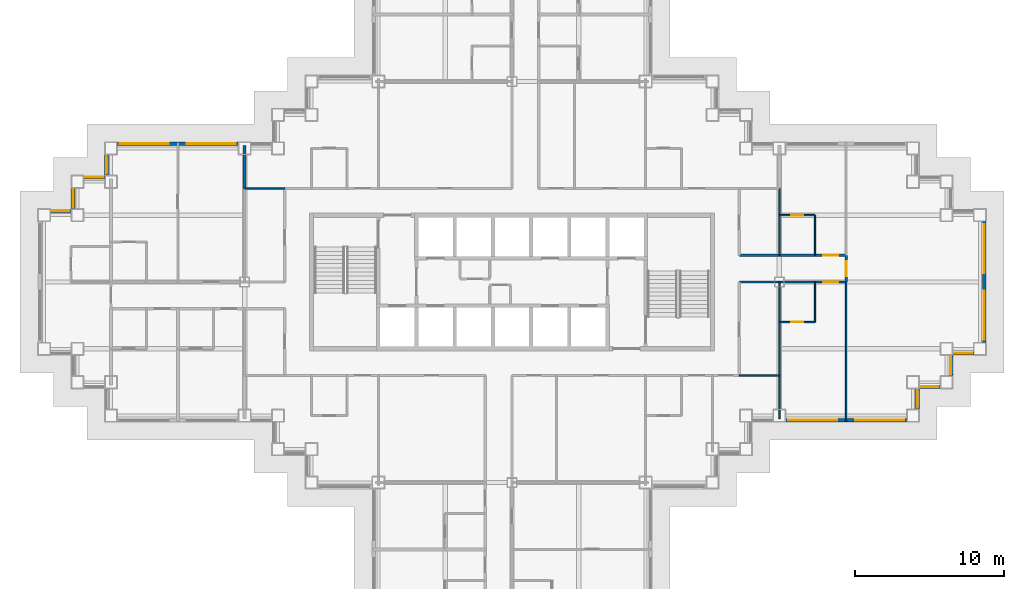
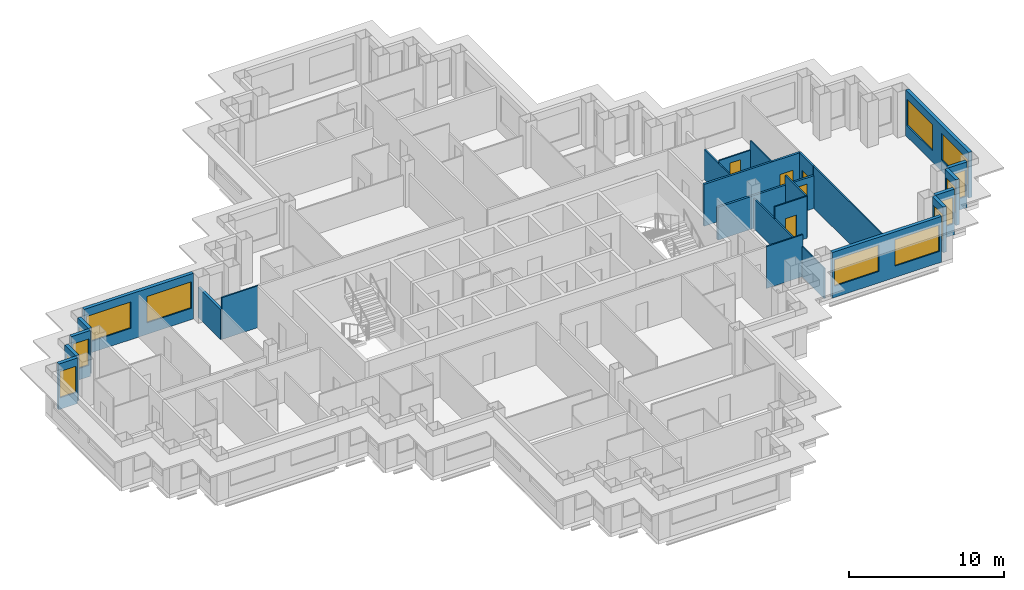
# One storey, part 8 of 16: 24 walls, 14 windows, 5 doors, 19 openings.
"""IFC4 building model written with IfcOpenShell, lengths in metres."""

import ifcopenshell
import ifcopenshell.guid

model = None  # the IFC model being written
_history = None  # IfcOwnerHistory: only IFC2X3 demands one
_inside = {}  # id of a spatial element -> (the spatial element, [elements in it])
_under = {}  # id of a project, library or spatial element -> (it, [spatial elements below it])
_declared = {}  # id of a project -> (the project, [libraries it declares])
_typed = {}  # id of a type object -> (the type object, [elements of that type])
_made_of = {}  # id of a material, layer set ... -> (it, [elements and type objects made of it])


def new_model(schema):
    """Start an empty IFC model of exactly this schema.

    Asked for "IFC4X3", IfcOpenShell would pick the latest addendum, in which some entities
    have other attributes; the version numbers below select the first issue.
    IFC2X3 requires an IfcOwnerHistory on every rooted entity: one is made here for all.
    """
    global model, _history
    if schema == "IFC4X3":
        model = ifcopenshell.file(schema_version=(4, 3, 0, 0))
    else:
        model = ifcopenshell.file(schema=schema)
    _inside.clear()
    _under.clear()
    _declared.clear()
    _typed.clear()
    _made_of.clear()
    _history = None
    if model.schema == "IFC2X3":
        org = make("IfcOrganization", Name="unknown")
        user = make(
            "IfcPersonAndOrganization",
            ThePerson=make("IfcPerson", FamilyName="unknown"),
            TheOrganization=org,
        )
        app = make(
            "IfcApplication",
            ApplicationDeveloper=org,
            Version="unknown",
            ApplicationFullName="unknown",
            ApplicationIdentifier="unknown",
        )
        _history = make(
            "IfcOwnerHistory",
            OwningUser=user,
            OwningApplication=app,
            ChangeAction="ADDED",
            CreationDate=0,
        )
    return model


def make(cls, **values):
    """One entity of the class cls with the attributes given. An attribute that is None is left unset."""
    return model.create_entity(
        cls, **{name: value for name, value in values.items() if value is not None}
    )


def rooted(cls, **values):
    """An entity with a GlobalId (a new one), such as an element, a storey or a relation."""
    return make(cls, GlobalId=ifcopenshell.guid.new(), OwnerHistory=_history, **values)


def si_unit(unit_type, name, prefix=None):
    """IfcSIUnit, for example si_unit("LENGTHUNIT", "METRE", prefix="MILLI")."""
    return make("IfcSIUnit", UnitType=unit_type, Prefix=prefix, Name=name)


def assignment(units):
    """IfcUnitAssignment: the units of a project."""
    return None if units is None else make("IfcUnitAssignment", Units=units)


def point(xyz):
    """IfcCartesianPoint."""
    return None if xyz is None else make("IfcCartesianPoint", Coordinates=xyz)


def direction(xyz):
    """IfcDirection."""
    return None if xyz is None else make("IfcDirection", DirectionRatios=xyz)


def frame(location, z_axis=None, x_axis=None):
    """IfcAxis2Placement3D, a coordinate frame: its origin and axes. An axis left out is left unset."""
    return make(
        "IfcAxis2Placement3D",
        Location=point(location),
        Axis=direction(z_axis),
        RefDirection=direction(x_axis),
    )


def frame_2d(location, x_axis=None):
    """IfcAxis2Placement2D, a coordinate frame in the plane: its origin and x axis."""
    return make(
        "IfcAxis2Placement2D", Location=point(location), RefDirection=direction(x_axis)
    )


def origin():
    """The frame at (0, 0, 0) with its axes left unset."""
    return frame((0.0, 0.0, 0.0))


def place(relative_to, where):
    """IfcLocalPlacement: puts the frame where relative to a parent placement (None: the world)."""
    return make(
        "IfcLocalPlacement", PlacementRelTo=relative_to, RelativePlacement=where
    )


def context(
    kind, dimensions, precision=None, world=None, true_north=None, identifier=None
):
    """IfcGeometricRepresentationContext, for example the 3D "Model" context."""
    return make(
        "IfcGeometricRepresentationContext",
        ContextIdentifier=identifier,
        ContextType=kind,
        CoordinateSpaceDimension=dimensions,
        Precision=precision,
        WorldCoordinateSystem=world,
        TrueNorth=true_north,
    )


def subcontext(parent, identifier, kind, view, scale=None):
    """IfcGeometricRepresentationSubContext, for example "Body" below "Model"."""
    return make(
        "IfcGeometricRepresentationSubContext",
        ContextIdentifier=identifier,
        ContextType=kind,
        ParentContext=parent,
        TargetScale=scale,
        TargetView=view,
    )


def project(units=None, contexts=None):
    """IfcProject with its units and contexts."""
    return rooted(
        "IfcProject",
        Name="project",
        RepresentationContexts=contexts,
        UnitsInContext=assignment(units),
    )


def spatial(cls, under=None, at=None, **own):
    """A site, building, storey or space (cls), placed at a placement, below another one or the project."""
    s = rooted(cls, ObjectPlacement=at, **own)
    if under is not None:
        _under.setdefault(under.id(), (under, []))[1].append(s)
    return s


def profile(cls, at=None, kind="AREA", **sizes):
    """A parametric profile (cls). Its sizes go by their IFC names, for example OverallWidth=200.0."""
    return make(cls, ProfileType=kind, Position=at, **sizes)


def rectangle(**sizes):
    """IfcRectangleProfileDef."""
    return profile("IfcRectangleProfileDef", **sizes)


def extrude(swept, where, along, depth):
    """IfcExtrudedAreaSolid: the profile swept, set in the frame where, extruded along a direction by depth."""
    return make(
        "IfcExtrudedAreaSolid",
        SweptArea=swept,
        Position=where,
        ExtrudedDirection=direction(along),
        Depth=depth,
    )


def shape(context_of_items, identifier, shape_type, items):
    """IfcShapeRepresentation: the items that make up one representation, for example the "Body"."""
    return make(
        "IfcShapeRepresentation",
        ContextOfItems=context_of_items,
        RepresentationIdentifier=identifier,
        RepresentationType=shape_type,
        Items=items,
    )


def material(Name=None, Category=None):
    """IfcMaterial."""
    return make("IfcMaterial", Name=Name, Category=Category)


def layer(
    of_material, thickness, ventilated=None, Name=None, Category=None, Priority=None
):
    """IfcMaterialLayer: one layer of a wall or slab, of a material (None: an air gap)."""
    return make(
        "IfcMaterialLayer",
        Material=of_material,
        LayerThickness=thickness,
        IsVentilated=ventilated,
        Name=Name,
        Category=Category,
        Priority=Priority,
    )


def layer_set(layers, Name=None):
    """IfcMaterialLayerSet."""
    return make("IfcMaterialLayerSet", MaterialLayers=layers, LayerSetName=Name)


def made_of(thing, what):
    """Note that an element or type object is made of a material, layer set ...; save() writes the relation."""
    if what is not None:
        _made_of.setdefault(what.id(), (what, []))[1].append(thing)
    return thing


def type_object(cls, material=None, **own):
    """A type object (cls), such as IfcWallType, which elements share."""
    return made_of(rooted(cls, **own), material)


def element(
    cls,
    number,
    at=None,
    inside=None,
    cuts=None,
    type_object=None,
    material=None,
    context=None,
    identifier="Body",
    shape_type=None,
    held_by="IfcProductDefinitionShape",
    body=None,
    shapes=None,
    **own,
):
    """One element of the class cls, such as IfcWall. Its Tag is "e" and its number.

    at: its placement. inside: the storey or other place that contains it. cuts: it is an
    opening in that element (IfcRelVoidsElement). A single representation is given by context,
    identifier, shape_type and body (its items); several are given by shapes. held_by: the class
    of the entity that holds the representations. save() writes the other relations.
    """
    e = rooted(cls, Tag="e%d" % number, ObjectPlacement=at, **own)
    if body is not None:
        shapes = [shape(context, identifier, shape_type, body)]
    if shapes is not None:
        e.Representation = make(held_by, Representations=shapes)
    if inside is not None:
        _inside.setdefault(inside.id(), (inside, []))[1].append(e)
    if cuts is not None:
        rooted(
            "IfcRelVoidsElement", RelatingBuildingElement=cuts, RelatedOpeningElement=e
        )
    if type_object is not None:
        _typed.setdefault(type_object.id(), (type_object, []))[1].append(e)
    return made_of(e, material)


def fill(opening, filler):
    """IfcRelFillsElement: the door or window that sits in an opening."""
    return rooted(
        "IfcRelFillsElement",
        RelatingOpeningElement=opening,
        RelatedBuildingElement=filler,
    )


def aggregate(whole, parts):
    """IfcRelAggregates: a whole, such as a stair, and the parts it consists of."""
    return rooted("IfcRelAggregates", RelatingObject=whole, RelatedObjects=parts)


def save(model, path):
    """Write the relations noted so far, then the file.

    IfcRelAggregates (storeys below a building ...), IfcRelContainedInSpatialStructure (elements
    in a storey), IfcRelDefinesByType, IfcRelAssociatesMaterial and IfcRelDeclares: one each for
    every whole, place, type object, material and project.
    """
    for whole, parts in _under.values():
        aggregate(whole, parts)
    for where, things in _inside.values():
        rooted(
            "IfcRelContainedInSpatialStructure",
            RelatedElements=things,
            RelatingStructure=where,
        )
    for kind, things in _typed.values():
        rooted("IfcRelDefinesByType", RelatedObjects=things, RelatingType=kind)
    for what, things in _made_of.values():
        rooted("IfcRelAssociatesMaterial", RelatedObjects=things, RelatingMaterial=what)
    for by, libraries in _declared.values():
        rooted("IfcRelDeclares", RelatingContext=by, RelatedDefinitions=libraries)
    model.write(path)


model = new_model("IFC4")

# Units and contexts
model_context = context("Model", 3, precision=1e-05, world=origin(), true_north=direction((0.0, 1.0)))
body_context = subcontext(model_context, "Body", "Model", "MODEL_VIEW")
ifc_project = project(units=[si_unit("LENGTHUNIT", "METRE"), si_unit("AREAUNIT", "SQUARE_METRE"), si_unit("VOLUMEUNIT", "CUBIC_METRE"), si_unit("PLANEANGLEUNIT", "RADIAN"), si_unit("MASSUNIT", "GRAM", prefix="KILO")], contexts=[model_context])

# Site, building, storey
site_placement = place(None, origin())
site = spatial("IfcSite", under=ifc_project, at=site_placement, CompositionType="ELEMENT")
building_placement = place(site_placement, origin())
building = spatial("IfcBuilding", under=site, at=building_placement, Name="Caravel Reach Hotel and Residences", CompositionType="ELEMENT")
storey_placement = place(building_placement, frame((0.0, 0.0, 133.199951171875)))
storey = spatial("IfcBuildingStorey", under=building, at=storey_placement, Name="L33", CompositionType="ELEMENT", Elevation=133.199951171875)

# Wall, opening, door
ifc_material_1 = material(Name="Gypsum board on steel stud", Category="steel")
ifc_layer_1 = layer(ifc_material_1, 0.10009765625)
ifc_layer_set_1 = layer_set([ifc_layer_1], Name="Bathroom pod wall 100 mm")
wall_type_1 = type_object("IfcWallType", Name="Bathroom pod wall 100 mm", PredefinedType="PARTITIONING", material=ifc_layer_set_1)
wall_1_placement = place(storey_placement, frame((49.5, 24.300048828125, 0.0), z_axis=(0.0, 0.0, 1.0), x_axis=(1.0, 0.0, 0.0)))
wall_1 = element("IfcWall", 1, at=wall_1_placement, inside=storey, type_object=wall_type_1, Name="L33 wall w087", PredefinedType="PARTITIONING", context=body_context, shape_type="SweptSolid", body=[
    extrude(rectangle(XDim=2.39990234375, YDim=0.10009765625, at=frame_2d((1.199951171875, 0.0))), origin(), (0.0, 0.0, 1.0), 3.300048828125),
])
opening_1_placement = place(wall_1_placement, frame((0.800048828125, 0.0, 0.0)))
opening_1 = element("IfcOpeningElement", 2, at=opening_1_placement, cuts=wall_1, Name="Opening D33-024", PredefinedType="OPENING", context=body_context, shape_type="SweptSolid", body=[
    extrude(rectangle(XDim=0.800048828125, YDim=2.10009765625, at=frame_2d((0.39990234375, 1.050048828125))), frame((0.0, 0.06005859375, 0.0), z_axis=(0.0, -1.0, 0.0), x_axis=(1.0, 0.0, 0.0)), (0.0, 0.0, 1.0), 0.1201171875),
])
ifc_material_2 = material(Name="Timber and steel door leaf", Category="steel")
door_type_1 = type_object("IfcDoorType", Name="Bathroom door 800 x 2100", OperationType="SINGLE_SWING_LEFT", PredefinedType="DOOR", material=ifc_material_2)
door_1_placement = place(opening_1_placement, origin())
door_1 = element("IfcDoor", 3, at=door_1_placement, inside=storey, type_object=door_type_1, Name="door D33-024", OperationType="SINGLE_SWING_LEFT", OverallHeight=2.10009765625, OverallWidth=0.800048828125, PredefinedType="DOOR", context=body_context, shape_type="SweptSolid", body=[
    extrude(rectangle(XDim=0.800048828125, YDim=2.10009765625, at=frame_2d((0.39990234375, 1.050048828125))), frame((0.0, 0.02490234375, 0.0), z_axis=(0.0, -1.0, 0.0), x_axis=(1.0, 0.0, 0.0)), (0.0, 0.0, 1.0), 0.050048828125),
])
fill(opening_1, door_1)

wall_2_placement = place(storey_placement, frame((49.5, 31.5, 0.0), z_axis=(0.0, 0.0, 1.0), x_axis=(1.0, 0.0, 0.0)))
wall_2 = element("IfcWall", 4, at=wall_2_placement, inside=storey, type_object=wall_type_1, Name="L33 wall w091", PredefinedType="PARTITIONING", context=body_context, shape_type="SweptSolid", body=[
    extrude(rectangle(XDim=2.39990234375, YDim=0.10009765625, at=frame_2d((1.199951171875, 0.0))), origin(), (0.0, 0.0, 1.0), 2.580078125),
])
opening_2_placement = place(wall_2_placement, frame((0.800048828125, 0.0, 0.0)))
opening_2 = element("IfcOpeningElement", 5, at=opening_2_placement, cuts=wall_2, Name="Opening D33-026", PredefinedType="OPENING", context=body_context, shape_type="SweptSolid", body=[
    extrude(rectangle(XDim=0.800048828125, YDim=2.10009765625, at=frame_2d((0.39990234375, 1.050048828125))), frame((0.0, 0.06005859375, 0.0), z_axis=(0.0, -1.0, 0.0), x_axis=(1.0, 0.0, 0.0)), (0.0, 0.0, 1.0), 0.1201171875),
])
door_2_placement = place(opening_2_placement, origin())
door_2 = element("IfcDoor", 6, at=door_2_placement, inside=storey, type_object=door_type_1, Name="door D33-026", OperationType="SINGLE_SWING_LEFT", OverallHeight=2.10009765625, OverallWidth=0.800048828125, PredefinedType="DOOR", context=body_context, shape_type="SweptSolid", body=[
    extrude(rectangle(XDim=0.800048828125, YDim=2.10009765625, at=frame_2d((0.39990234375, 1.050048828125))), frame((0.0, 0.02490234375, 0.0), z_axis=(0.0, -1.0, 0.0), x_axis=(1.0, 0.0, 0.0)), (0.0, 0.0, 1.0), 0.050048828125),
])
fill(opening_2, door_2)

# Walls
for number, where, z_axis, x_axis, name in (
    (7, (51.89990234375, 28.800048828125, 0.0), (0.0, 0.0, 1.0), (0.0, 1.0, 0.0), "L33 wall w117"),
    (8, (51.89990234375, 24.300048828125, 0.0), (0.0, 0.0, 1.0), (0.0, 1.0, 0.0), "L33 wall w118"),
):
    element("IfcWall", number, at=place(storey_placement, frame(where, z_axis=z_axis, x_axis=x_axis)), inside=storey, type_object=wall_type_1, Name=name, PredefinedType="PARTITIONING", context=body_context, shape_type="SweptSolid", body=[
        extrude(rectangle(XDim=2.699951171875, YDim=0.10009765625, at=frame_2d((1.35009765625, 0.0))), origin(), (0.0, 0.0, 1.0), 3.300048828125),
    ])

# Wall, opening, door
ifc_material_3 = material(Name="Gypsum board on steel stud, fire-rated", Category="steel")
ifc_layer_2 = layer(ifc_material_3, 0.14990234375)
ifc_layer_set_2 = layer_set([ifc_layer_2], Name="Corridor wall 150 mm EI 60")
wall_type_2 = type_object("IfcWallType", Name="Corridor wall 150 mm EI 60", PredefinedType="PARTITIONING", material=ifc_layer_set_2)
wall_3_placement = place(storey_placement, frame((46.800048828125, 27.0, 0.0), z_axis=(0.0, 0.0, 1.0), x_axis=(1.0, 0.0, 0.0)))
wall_3 = element("IfcWall", 9, at=wall_3_placement, inside=storey, type_object=wall_type_2, Name="L33 wall w011", PredefinedType="PARTITIONING", context=body_context, shape_type="SweptSolid", body=[
    extrude(rectangle(XDim=7.199951171875, YDim=0.14990234375, at=frame_2d((3.60009765625, 0.0))), origin(), (0.0, 0.0, 1.0), 2.580078125),
])
opening_3_placement = place(wall_3_placement, frame((5.64990234375, 0.0, 0.0)))
opening_3 = element("IfcOpeningElement", 10, at=opening_3_placement, cuts=wall_3, Name="Opening D33-023", PredefinedType="OPENING", context=body_context, shape_type="SweptSolid", body=[
    extrude(rectangle(XDim=1.0, YDim=2.10009765625, at=frame_2d((0.5, 1.050048828125))), frame((0.0, 0.0849609375, 0.0), z_axis=(0.0, -1.0, 0.0), x_axis=(1.0, 0.0, 0.0)), (0.0, 0.0, 1.0), 0.169921875),
])
ifc_material_4 = material(Name="Steel fire door leaf", Category="steel")
door_type_2 = type_object("IfcDoorType", Name="Guest room door 1000 x 2100 EI 30", OperationType="SINGLE_SWING_LEFT", PredefinedType="DOOR", material=ifc_material_4)
door_3_placement = place(opening_3_placement, origin())
door_3 = element("IfcDoor", 11, at=door_3_placement, inside=storey, type_object=door_type_2, Name="door D33-023", OperationType="SINGLE_SWING_RIGHT", OverallHeight=2.10009765625, OverallWidth=1.0, PredefinedType="DOOR", context=body_context, shape_type="SweptSolid", body=[
    extrude(rectangle(XDim=1.0, YDim=2.10009765625, at=frame_2d((0.5, 1.050048828125))), frame((0.0, 0.02490234375, 0.0), z_axis=(0.0, -1.0, 0.0), x_axis=(1.0, 0.0, 0.0)), (0.0, 0.0, 1.0), 0.050048828125),
])
fill(opening_3, door_3)

wall_4_placement = place(storey_placement, frame((46.800048828125, 28.800048828125, 0.0), z_axis=(0.0, 0.0, 1.0), x_axis=(1.0, 0.0, 0.0)))
wall_4 = element("IfcWall", 12, at=wall_4_placement, inside=storey, type_object=wall_type_2, Name="L33 wall w016", PredefinedType="PARTITIONING", context=body_context, shape_type="SweptSolid", body=[
    extrude(rectangle(XDim=7.199951171875, YDim=0.14990234375, at=frame_2d((3.60009765625, 0.0))), origin(), (0.0, 0.0, 1.0), 3.300048828125),
])
opening_4_placement = place(wall_4_placement, frame((5.64990234375, 0.0, 0.0)))
opening_4 = element("IfcOpeningElement", 13, at=opening_4_placement, cuts=wall_4, Name="Opening D33-025", PredefinedType="OPENING", context=body_context, shape_type="SweptSolid", body=[
    extrude(rectangle(XDim=1.0, YDim=2.10009765625, at=frame_2d((0.5, 1.050048828125))), frame((0.0, 0.0849609375, 0.0), z_axis=(0.0, -1.0, 0.0), x_axis=(1.0, 0.0, 0.0)), (0.0, 0.0, 1.0), 0.169921875),
])
door_4_placement = place(opening_4_placement, origin())
door_4 = element("IfcDoor", 14, at=door_4_placement, inside=storey, type_object=door_type_2, Name="door D33-025", OperationType="SINGLE_SWING_RIGHT", OverallHeight=2.10009765625, OverallWidth=1.0, PredefinedType="DOOR", context=body_context, shape_type="SweptSolid", body=[
    extrude(rectangle(XDim=1.0, YDim=2.10009765625, at=frame_2d((0.5, 1.050048828125))), frame((0.0, 0.02490234375, 0.0), z_axis=(0.0, -1.0, 0.0), x_axis=(1.0, 0.0, 0.0)), (0.0, 0.0, 1.0), 0.050048828125),
])
fill(opening_4, door_4)

wall_5_placement = place(storey_placement, frame((54.0, 27.0, 0.0), z_axis=(0.0, 0.0, 1.0), x_axis=(0.0, 1.0, 0.0)))
wall_5 = element("IfcWall", 15, at=wall_5_placement, inside=storey, type_object=wall_type_2, Name="L33 wall w041", PredefinedType="PARTITIONING", context=body_context, shape_type="SweptSolid", body=[
    extrude(rectangle(XDim=1.800048828125, YDim=0.14990234375, at=frame_2d((0.89990234375, 0.0))), origin(), (0.0, 0.0, 1.0), 3.300048828125),
])
opening_5_placement = place(wall_5_placement, frame((0.39990234375, 0.0, 0.0)))
opening_5 = element("IfcOpeningElement", 16, at=opening_5_placement, cuts=wall_5, Name="Opening D33-044", PredefinedType="OPENING", context=body_context, shape_type="SweptSolid", body=[
    extrude(rectangle(XDim=1.0, YDim=2.10009765625, at=frame_2d((0.5, 1.050048828125))), frame((0.0, 0.0849609375, 0.0), z_axis=(0.0, -1.0, 0.0), x_axis=(1.0, 0.0, 0.0)), (0.0, 0.0, 1.0), 0.169921875),
])
door_5_placement = place(opening_5_placement, origin())
door_5 = element("IfcDoor", 17, at=door_5_placement, inside=storey, type_object=door_type_2, Name="door D33-044", OperationType="SINGLE_SWING_RIGHT", OverallHeight=2.10009765625, OverallWidth=1.0, PredefinedType="DOOR", context=body_context, shape_type="SweptSolid", body=[
    extrude(rectangle(XDim=1.0, YDim=2.10009765625, at=frame_2d((0.5, 1.050048828125))), frame((0.0, 0.02490234375, 0.0), z_axis=(0.0, -1.0, 0.0), x_axis=(1.0, 0.0, 0.0)), (0.0, 0.0, 1.0), 0.050048828125),
])
fill(opening_5, door_5)

# Wall, openings, windows
ifc_material_5 = material(Name="Insulated rainscreen wall, aluminium cladding", Category="aluminium")
ifc_layer_3 = layer(ifc_material_5, 0.25)
ifc_layer_set_3 = layer_set([ifc_layer_3], Name="EW1 Tower rainscreen wall")
wall_type_3 = type_object("IfcWallType", Name="EW1 Tower rainscreen wall", PredefinedType="SOLIDWALL", material=ifc_layer_set_3)
wall_6_placement = place(storey_placement, frame((49.925048828125, 17.699951171875, 0.0), z_axis=(0.0, 0.0, 1.0), x_axis=(1.0, 0.0, 0.0)))
wall_6 = element("IfcWall", 18, at=wall_6_placement, inside=storey, type_object=wall_type_3, Name="External wall L33 S15.2", PredefinedType="SOLIDWALL", context=body_context, shape_type="SweptSolid", body=[
    extrude(rectangle(XDim=8.14990234375, YDim=0.25, at=frame_2d((4.074951171875, 0.0))), origin(), (0.0, 0.0, 1.0), 3.60009765625),
])
opening_6_placement = place(wall_6_placement, frame((0.175048828125, 0.0, 0.89990234375)))
opening_6 = element("IfcOpeningElement", 19, at=opening_6_placement, cuts=wall_6, Name="Opening WN4", PredefinedType="OPENING", context=body_context, shape_type="SweptSolid", body=[
    extrude(rectangle(XDim=3.300048828125, YDim=2.080078125, at=frame_2d((1.64990234375, 1.0400390625))), frame((0.0, 0.135009765625, 0.0), z_axis=(0.0, -1.0, 0.0), x_axis=(1.0, 0.0, 0.0)), (0.0, 0.0, 1.0), 0.27001953125),
])
opening_7_placement = place(wall_6_placement, frame((4.675048828125, 0.0, 0.89990234375)))
opening_7 = element("IfcOpeningElement", 20, at=opening_7_placement, cuts=wall_6, Name="Opening WN4", PredefinedType="OPENING", context=body_context, shape_type="SweptSolid", body=[
    extrude(rectangle(XDim=3.300048828125, YDim=2.080078125, at=frame_2d((1.64990234375, 1.0400390625))), frame((0.0, 0.135009765625, 0.0), z_axis=(0.0, -1.0, 0.0), x_axis=(1.0, 0.0, 0.0)), (0.0, 0.0, 1.0), 0.27001953125),
])
ifc_material_6 = material(Name="Dark low-e glazing in black aluminium frame", Category="aluminium")
window_type_1 = type_object("IfcWindowType", Name="Hotel guest room window 3300 x 2080", PartitioningType="SINGLE_PANEL", PredefinedType="WINDOW", material=ifc_material_6)
window_1_placement = place(opening_6_placement, origin())
window_1 = element("IfcWindow", 21, at=window_1_placement, inside=storey, type_object=window_type_1, Name="Window L33 S15.2.1", OverallHeight=2.080078125, OverallWidth=3.300048828125, PartitioningType="SINGLE_PANEL", PredefinedType="WINDOW", context=body_context, shape_type="SweptSolid", body=[
    extrude(rectangle(XDim=3.300048828125, YDim=2.080078125, at=frame_2d((1.64990234375, 1.0400390625))), frame((0.0, 0.030029296875, 0.0), z_axis=(0.0, -1.0, 0.0), x_axis=(1.0, 0.0, 0.0)), (0.0, 0.0, 1.0), 0.06005859375),
])
fill(opening_6, window_1)
window_2_placement = place(opening_7_placement, origin())
window_2 = element("IfcWindow", 22, at=window_2_placement, inside=storey, type_object=window_type_1, Name="Window L33 S15.2.2", OverallHeight=2.080078125, OverallWidth=3.300048828125, PartitioningType="SINGLE_PANEL", PredefinedType="WINDOW", context=body_context, shape_type="SweptSolid", body=[
    extrude(rectangle(XDim=3.300048828125, YDim=2.080078125, at=frame_2d((1.64990234375, 1.0400390625))), frame((0.0, 0.030029296875, 0.0), z_axis=(0.0, -1.0, 0.0), x_axis=(1.0, 0.0, 0.0)), (0.0, 0.0, 1.0), 0.06005859375),
])
fill(opening_7, window_2)

# Wall, opening, window
wall_7_placement = place(storey_placement, frame((58.800048828125, 18.425048828125, 0.0), z_axis=(0.0, 0.0, 1.0), x_axis=(0.0, 1.0, 0.0)))
wall_7 = element("IfcWall", 23, at=wall_7_placement, inside=storey, type_object=wall_type_3, Name="External wall L33 E16.1", PredefinedType="SOLIDWALL", context=body_context, shape_type="SweptSolid", body=[
    extrude(rectangle(XDim=1.39990234375, YDim=0.25, at=frame_2d((0.699951171875, 0.0))), origin(), (0.0, 0.0, 1.0), 3.60009765625),
])
opening_8_placement = place(wall_7_placement, frame((0.10009765625, 0.0, 0.89990234375)))
opening_8 = element("IfcOpeningElement", 24, at=opening_8_placement, cuts=wall_7, Name="Opening WN9", PredefinedType="OPENING", context=body_context, shape_type="SweptSolid", body=[
    extrude(rectangle(XDim=1.199951171875, YDim=2.080078125, at=frame_2d((0.60009765625, 1.0400390625))), frame((0.0, 0.135009765625, 0.0), z_axis=(0.0, -1.0, 0.0), x_axis=(1.0, 0.0, 0.0)), (0.0, 0.0, 1.0), 0.27001953125),
])
ifc_material_7 = material(Name="Dark low-e glazing in black aluminium frame", Category="aluminium")
window_type_2 = type_object("IfcWindowType", Name="Hotel suite corner window 1200 x 2080", PartitioningType="SINGLE_PANEL", PredefinedType="WINDOW", material=ifc_material_7)
window_3_placement = place(opening_8_placement, origin())
window_3 = element("IfcWindow", 25, at=window_3_placement, inside=storey, type_object=window_type_2, Name="Window L33 E16.1.1", OverallHeight=2.080078125, OverallWidth=1.199951171875, PartitioningType="SINGLE_PANEL", PredefinedType="WINDOW", context=body_context, shape_type="SweptSolid", body=[
    extrude(rectangle(XDim=1.199951171875, YDim=2.080078125, at=frame_2d((0.60009765625, 1.0400390625))), frame((0.0, 0.030029296875, 0.0), z_axis=(0.0, -1.0, 0.0), x_axis=(1.0, 0.0, 0.0)), (0.0, 0.0, 1.0), 0.06005859375),
])
fill(opening_8, window_3)

wall_8_placement = place(storey_placement, frame((58.925048828125, 19.949951171875, 0.0), z_axis=(0.0, 0.0, 1.0), x_axis=(1.0, 0.0, 0.0)))
wall_8 = element("IfcWall", 26, at=wall_8_placement, inside=storey, type_object=wall_type_3, Name="External wall L33 S17.1", PredefinedType="SOLIDWALL", context=body_context, shape_type="SweptSolid", body=[
    extrude(rectangle(XDim=1.39990234375, YDim=0.25, at=frame_2d((0.699951171875, 0.0))), origin(), (0.0, 0.0, 1.0), 3.60009765625),
])
opening_9_placement = place(wall_8_placement, frame((0.10009765625, 0.0, 0.89990234375)))
opening_9 = element("IfcOpeningElement", 27, at=opening_9_placement, cuts=wall_8, Name="Opening WN9", PredefinedType="OPENING", context=body_context, shape_type="SweptSolid", body=[
    extrude(rectangle(XDim=1.199951171875, YDim=2.080078125, at=frame_2d((0.60009765625, 1.0400390625))), frame((0.0, 0.135009765625, 0.0), z_axis=(0.0, -1.0, 0.0), x_axis=(1.0, 0.0, 0.0)), (0.0, 0.0, 1.0), 0.27001953125),
])
window_4_placement = place(opening_9_placement, origin())
window_4 = element("IfcWindow", 28, at=window_4_placement, inside=storey, type_object=window_type_2, Name="Window L33 S17.1.1", OverallHeight=2.080078125, OverallWidth=1.199951171875, PartitioningType="SINGLE_PANEL", PredefinedType="WINDOW", context=body_context, shape_type="SweptSolid", body=[
    extrude(rectangle(XDim=1.199951171875, YDim=2.080078125, at=frame_2d((0.60009765625, 1.0400390625))), frame((0.0, 0.030029296875, 0.0), z_axis=(0.0, -1.0, 0.0), x_axis=(1.0, 0.0, 0.0)), (0.0, 0.0, 1.0), 0.06005859375),
])
fill(opening_9, window_4)

wall_9_placement = place(storey_placement, frame((61.050048828125, 20.675048828125, 0.0), z_axis=(0.0, 0.0, 1.0), x_axis=(0.0, 1.0, 0.0)))
wall_9 = element("IfcWall", 29, at=wall_9_placement, inside=storey, type_object=wall_type_3, Name="External wall L33 E18.1", PredefinedType="SOLIDWALL", context=body_context, shape_type="SweptSolid", body=[
    extrude(rectangle(XDim=1.39990234375, YDim=0.25, at=frame_2d((0.699951171875, 0.0))), origin(), (0.0, 0.0, 1.0), 3.60009765625),
])
opening_10_placement = place(wall_9_placement, frame((0.10009765625, 0.0, 0.89990234375)))
opening_10 = element("IfcOpeningElement", 30, at=opening_10_placement, cuts=wall_9, Name="Opening WN9", PredefinedType="OPENING", context=body_context, shape_type="SweptSolid", body=[
    extrude(rectangle(XDim=1.199951171875, YDim=2.080078125, at=frame_2d((0.60009765625, 1.0400390625))), frame((0.0, 0.135009765625, 0.0), z_axis=(0.0, -1.0, 0.0), x_axis=(1.0, 0.0, 0.0)), (0.0, 0.0, 1.0), 0.27001953125),
])
window_5_placement = place(opening_10_placement, origin())
window_5 = element("IfcWindow", 31, at=window_5_placement, inside=storey, type_object=window_type_2, Name="Window L33 E18.1.1", OverallHeight=2.080078125, OverallWidth=1.199951171875, PartitioningType="SINGLE_PANEL", PredefinedType="WINDOW", context=body_context, shape_type="SweptSolid", body=[
    extrude(rectangle(XDim=1.199951171875, YDim=2.080078125, at=frame_2d((0.60009765625, 1.0400390625))), frame((0.0, 0.030029296875, 0.0), z_axis=(0.0, -1.0, 0.0), x_axis=(1.0, 0.0, 0.0)), (0.0, 0.0, 1.0), 0.06005859375),
])
fill(opening_10, window_5)

wall_10_placement = place(storey_placement, frame((61.175048828125, 22.199951171875, 0.0), z_axis=(0.0, 0.0, 1.0), x_axis=(1.0, 0.0, 0.0)))
wall_10 = element("IfcWall", 32, at=wall_10_placement, inside=storey, type_object=wall_type_3, Name="External wall L33 S19.1", PredefinedType="SOLIDWALL", context=body_context, shape_type="SweptSolid", body=[
    extrude(rectangle(XDim=1.39990234375, YDim=0.25, at=frame_2d((0.699951171875, 0.0))), origin(), (0.0, 0.0, 1.0), 3.60009765625),
])
opening_11_placement = place(wall_10_placement, frame((0.10009765625, 0.0, 0.89990234375)))
opening_11 = element("IfcOpeningElement", 33, at=opening_11_placement, cuts=wall_10, Name="Opening WN9", PredefinedType="OPENING", context=body_context, shape_type="SweptSolid", body=[
    extrude(rectangle(XDim=1.199951171875, YDim=2.080078125, at=frame_2d((0.60009765625, 1.0400390625))), frame((0.0, 0.135009765625, 0.0), z_axis=(0.0, -1.0, 0.0), x_axis=(1.0, 0.0, 0.0)), (0.0, 0.0, 1.0), 0.27001953125),
])
window_6_placement = place(opening_11_placement, origin())
window_6 = element("IfcWindow", 34, at=window_6_placement, inside=storey, type_object=window_type_2, Name="Window L33 S19.1.1", OverallHeight=2.080078125, OverallWidth=1.199951171875, PartitioningType="SINGLE_PANEL", PredefinedType="WINDOW", context=body_context, shape_type="SweptSolid", body=[
    extrude(rectangle(XDim=1.199951171875, YDim=2.080078125, at=frame_2d((0.60009765625, 1.0400390625))), frame((0.0, 0.030029296875, 0.0), z_axis=(0.0, -1.0, 0.0), x_axis=(1.0, 0.0, 0.0)), (0.0, 0.0, 1.0), 0.06005859375),
])
fill(opening_11, window_6)

# Wall, openings, windows
wall_11_placement = place(storey_placement, frame((63.300048828125, 22.925048828125, 0.0), z_axis=(0.0, 0.0, 1.0), x_axis=(0.0, 1.0, 0.0)))
wall_11 = element("IfcWall", 35, at=wall_11_placement, inside=storey, type_object=wall_type_3, Name="External wall L33 E20.1", PredefinedType="SOLIDWALL", context=body_context, shape_type="SweptSolid", body=[
    extrude(rectangle(XDim=8.14990234375, YDim=0.25, at=frame_2d((4.074951171875, 0.0))), origin(), (0.0, 0.0, 1.0), 3.60009765625),
])
opening_12_placement = place(wall_11_placement, frame((0.175048828125, 0.0, 0.89990234375)))
opening_12 = element("IfcOpeningElement", 36, at=opening_12_placement, cuts=wall_11, Name="Opening WN4", PredefinedType="OPENING", context=body_context, shape_type="SweptSolid", body=[
    extrude(rectangle(XDim=3.300048828125, YDim=2.080078125, at=frame_2d((1.64990234375, 1.0400390625))), frame((0.0, 0.135009765625, 0.0), z_axis=(0.0, -1.0, 0.0), x_axis=(1.0, 0.0, 0.0)), (0.0, 0.0, 1.0), 0.27001953125),
])
opening_13_placement = place(wall_11_placement, frame((4.675048828125, 0.0, 0.89990234375)))
opening_13 = element("IfcOpeningElement", 37, at=opening_13_placement, cuts=wall_11, Name="Opening WN4", PredefinedType="OPENING", context=body_context, shape_type="SweptSolid", body=[
    extrude(rectangle(XDim=3.300048828125, YDim=2.080078125, at=frame_2d((1.64990234375, 1.0400390625))), frame((0.0, 0.135009765625, 0.0), z_axis=(0.0, -1.0, 0.0), x_axis=(1.0, 0.0, 0.0)), (0.0, 0.0, 1.0), 0.27001953125),
])
window_7_placement = place(opening_12_placement, origin())
window_7 = element("IfcWindow", 38, at=window_7_placement, inside=storey, type_object=window_type_1, Name="Window L33 E20.1.1", OverallHeight=2.080078125, OverallWidth=3.300048828125, PartitioningType="SINGLE_PANEL", PredefinedType="WINDOW", context=body_context, shape_type="SweptSolid", body=[
    extrude(rectangle(XDim=3.300048828125, YDim=2.080078125, at=frame_2d((1.64990234375, 1.0400390625))), frame((0.0, 0.030029296875, 0.0), z_axis=(0.0, -1.0, 0.0), x_axis=(1.0, 0.0, 0.0)), (0.0, 0.0, 1.0), 0.06005859375),
])
fill(opening_12, window_7)
window_8_placement = place(opening_13_placement, origin())
window_8 = element("IfcWindow", 39, at=window_8_placement, inside=storey, type_object=window_type_1, Name="Window L33 E20.1.2", OverallHeight=2.080078125, OverallWidth=3.300048828125, PartitioningType="SINGLE_PANEL", PredefinedType="WINDOW", context=body_context, shape_type="SweptSolid", body=[
    extrude(rectangle(XDim=3.300048828125, YDim=2.080078125, at=frame_2d((1.64990234375, 1.0400390625))), frame((0.0, 0.030029296875, 0.0), z_axis=(0.0, -1.0, 0.0), x_axis=(1.0, 0.0, 0.0)), (0.0, 0.0, 1.0), 0.06005859375),
])
fill(opening_13, window_8)

wall_12_placement = place(storey_placement, frame((13.074951171875, 36.300048828125, 0.0), z_axis=(0.0, 0.0, 1.0), x_axis=(-1.0, 0.0, 0.0)))
wall_12 = element("IfcWall", 40, at=wall_12_placement, inside=storey, type_object=wall_type_3, Name="External wall L33 N45.2", PredefinedType="SOLIDWALL", context=body_context, shape_type="SweptSolid", body=[
    extrude(rectangle(XDim=8.14990234375, YDim=0.25, at=frame_2d((4.074951171875, 0.0))), origin(), (0.0, 0.0, 1.0), 3.60009765625),
])
opening_14_placement = place(wall_12_placement, frame((0.175048828125, 0.0, 0.89990234375)))
opening_14 = element("IfcOpeningElement", 41, at=opening_14_placement, cuts=wall_12, Name="Opening WN4", PredefinedType="OPENING", context=body_context, shape_type="SweptSolid", body=[
    extrude(rectangle(XDim=3.300048828125, YDim=2.080078125, at=frame_2d((1.64990234375, 1.0400390625))), frame((0.0, 0.135009765625, 0.0), z_axis=(0.0, -1.0, 0.0), x_axis=(1.0, 0.0, 0.0)), (0.0, 0.0, 1.0), 0.27001953125),
])
opening_15_placement = place(wall_12_placement, frame((4.675048828125, 0.0, 0.89990234375)))
opening_15 = element("IfcOpeningElement", 42, at=opening_15_placement, cuts=wall_12, Name="Opening WN4", PredefinedType="OPENING", context=body_context, shape_type="SweptSolid", body=[
    extrude(rectangle(XDim=3.300048828125, YDim=2.080078125, at=frame_2d((1.64990234375, 1.0400390625))), frame((0.0, 0.135009765625, 0.0), z_axis=(0.0, -1.0, 0.0), x_axis=(1.0, 0.0, 0.0)), (0.0, 0.0, 1.0), 0.27001953125),
])
window_9_placement = place(opening_14_placement, origin())
window_9 = element("IfcWindow", 43, at=window_9_placement, inside=storey, type_object=window_type_1, Name="Window L33 N45.2.1", OverallHeight=2.080078125, OverallWidth=3.300048828125, PartitioningType="SINGLE_PANEL", PredefinedType="WINDOW", context=body_context, shape_type="SweptSolid", body=[
    extrude(rectangle(XDim=3.300048828125, YDim=2.080078125, at=frame_2d((1.64990234375, 1.0400390625))), frame((0.0, 0.030029296875, 0.0), z_axis=(0.0, -1.0, 0.0), x_axis=(1.0, 0.0, 0.0)), (0.0, 0.0, 1.0), 0.06005859375),
])
fill(opening_14, window_9)
window_10_placement = place(opening_15_placement, origin())
window_10 = element("IfcWindow", 44, at=window_10_placement, inside=storey, type_object=window_type_1, Name="Window L33 N45.2.2", OverallHeight=2.080078125, OverallWidth=3.300048828125, PartitioningType="SINGLE_PANEL", PredefinedType="WINDOW", context=body_context, shape_type="SweptSolid", body=[
    extrude(rectangle(XDim=3.300048828125, YDim=2.080078125, at=frame_2d((1.64990234375, 1.0400390625))), frame((0.0, 0.030029296875, 0.0), z_axis=(0.0, -1.0, 0.0), x_axis=(1.0, 0.0, 0.0)), (0.0, 0.0, 1.0), 0.06005859375),
])
fill(opening_15, window_10)

# Wall, opening, window
wall_13_placement = place(storey_placement, frame((4.199951171875, 35.574951171875, 0.0), z_axis=(0.0, 0.0, 1.0), x_axis=(0.0, -1.0, 0.0)))
wall_13 = element("IfcWall", 45, at=wall_13_placement, inside=storey, type_object=wall_type_3, Name="External wall L33 W46.1", PredefinedType="SOLIDWALL", context=body_context, shape_type="SweptSolid", body=[
    extrude(rectangle(XDim=1.39990234375, YDim=0.25, at=frame_2d((0.699951171875, 0.0))), origin(), (0.0, 0.0, 1.0), 3.60009765625),
])
opening_16_placement = place(wall_13_placement, frame((0.10009765625, 0.0, 0.89990234375)))
opening_16 = element("IfcOpeningElement", 46, at=opening_16_placement, cuts=wall_13, Name="Opening WN9", PredefinedType="OPENING", context=body_context, shape_type="SweptSolid", body=[
    extrude(rectangle(XDim=1.199951171875, YDim=2.080078125, at=frame_2d((0.60009765625, 1.0400390625))), frame((0.0, 0.135009765625, 0.0), z_axis=(0.0, -1.0, 0.0), x_axis=(1.0, 0.0, 0.0)), (0.0, 0.0, 1.0), 0.27001953125),
])
window_11_placement = place(opening_16_placement, origin())
window_11 = element("IfcWindow", 47, at=window_11_placement, inside=storey, type_object=window_type_2, Name="Window L33 W46.1.1", OverallHeight=2.080078125, OverallWidth=1.199951171875, PartitioningType="SINGLE_PANEL", PredefinedType="WINDOW", context=body_context, shape_type="SweptSolid", body=[
    extrude(rectangle(XDim=1.199951171875, YDim=2.080078125, at=frame_2d((0.60009765625, 1.0400390625))), frame((0.0, 0.030029296875, 0.0), z_axis=(0.0, -1.0, 0.0), x_axis=(1.0, 0.0, 0.0)), (0.0, 0.0, 1.0), 0.06005859375),
])
fill(opening_16, window_11)

wall_14_placement = place(storey_placement, frame((4.074951171875, 34.050048828125, 0.0), z_axis=(0.0, 0.0, 1.0), x_axis=(-1.0, 0.0, 0.0)))
wall_14 = element("IfcWall", 48, at=wall_14_placement, inside=storey, type_object=wall_type_3, Name="External wall L33 N47.1", PredefinedType="SOLIDWALL", context=body_context, shape_type="SweptSolid", body=[
    extrude(rectangle(XDim=1.39990234375, YDim=0.25, at=frame_2d((0.699951171875, 0.0))), origin(), (0.0, 0.0, 1.0), 3.60009765625),
])
opening_17_placement = place(wall_14_placement, frame((0.10009765625, 0.0, 0.89990234375)))
opening_17 = element("IfcOpeningElement", 49, at=opening_17_placement, cuts=wall_14, Name="Opening WN9", PredefinedType="OPENING", context=body_context, shape_type="SweptSolid", body=[
    extrude(rectangle(XDim=1.199951171875, YDim=2.080078125, at=frame_2d((0.60009765625, 1.0400390625))), frame((0.0, 0.135009765625, 0.0), z_axis=(0.0, -1.0, 0.0), x_axis=(1.0, 0.0, 0.0)), (0.0, 0.0, 1.0), 0.27001953125),
])
window_12_placement = place(opening_17_placement, origin())
window_12 = element("IfcWindow", 50, at=window_12_placement, inside=storey, type_object=window_type_2, Name="Window L33 N47.1.1", OverallHeight=2.080078125, OverallWidth=1.199951171875, PartitioningType="SINGLE_PANEL", PredefinedType="WINDOW", context=body_context, shape_type="SweptSolid", body=[
    extrude(rectangle(XDim=1.199951171875, YDim=2.080078125, at=frame_2d((0.60009765625, 1.0400390625))), frame((0.0, 0.030029296875, 0.0), z_axis=(0.0, -1.0, 0.0), x_axis=(1.0, 0.0, 0.0)), (0.0, 0.0, 1.0), 0.06005859375),
])
fill(opening_17, window_12)

wall_15_placement = place(storey_placement, frame((1.949951171875, 33.324951171875, 0.0), z_axis=(0.0, 0.0, 1.0), x_axis=(0.0, -1.0, 0.0)))
wall_15 = element("IfcWall", 51, at=wall_15_placement, inside=storey, type_object=wall_type_3, Name="External wall L33 W48.1", PredefinedType="SOLIDWALL", context=body_context, shape_type="SweptSolid", body=[
    extrude(rectangle(XDim=1.39990234375, YDim=0.25, at=frame_2d((0.699951171875, 0.0))), origin(), (0.0, 0.0, 1.0), 3.60009765625),
])
opening_18_placement = place(wall_15_placement, frame((0.10009765625, 0.0, 0.89990234375)))
opening_18 = element("IfcOpeningElement", 52, at=opening_18_placement, cuts=wall_15, Name="Opening WN9", PredefinedType="OPENING", context=body_context, shape_type="SweptSolid", body=[
    extrude(rectangle(XDim=1.199951171875, YDim=2.080078125, at=frame_2d((0.60009765625, 1.0400390625))), frame((0.0, 0.135009765625, 0.0), z_axis=(0.0, -1.0, 0.0), x_axis=(1.0, 0.0, 0.0)), (0.0, 0.0, 1.0), 0.27001953125),
])
window_13_placement = place(opening_18_placement, origin())
window_13 = element("IfcWindow", 53, at=window_13_placement, inside=storey, type_object=window_type_2, Name="Window L33 W48.1.1", OverallHeight=2.080078125, OverallWidth=1.199951171875, PartitioningType="SINGLE_PANEL", PredefinedType="WINDOW", context=body_context, shape_type="SweptSolid", body=[
    extrude(rectangle(XDim=1.199951171875, YDim=2.080078125, at=frame_2d((0.60009765625, 1.0400390625))), frame((0.0, 0.030029296875, 0.0), z_axis=(0.0, -1.0, 0.0), x_axis=(1.0, 0.0, 0.0)), (0.0, 0.0, 1.0), 0.06005859375),
])
fill(opening_18, window_13)

wall_16_placement = place(storey_placement, frame((1.824951171875, 31.800048828125, 0.0), z_axis=(0.0, 0.0, 1.0), x_axis=(-1.0, 0.0, 0.0)))
wall_16 = element("IfcWall", 54, at=wall_16_placement, inside=storey, type_object=wall_type_3, Name="External wall L33 N49.1", PredefinedType="SOLIDWALL", context=body_context, shape_type="SweptSolid", body=[
    extrude(rectangle(XDim=1.39990234375, YDim=0.25, at=frame_2d((0.699951171875, 0.0))), origin(), (0.0, 0.0, 1.0), 3.60009765625),
])
opening_19_placement = place(wall_16_placement, frame((0.10009765625, 0.0, 0.89990234375)))
opening_19 = element("IfcOpeningElement", 55, at=opening_19_placement, cuts=wall_16, Name="Opening WN9", PredefinedType="OPENING", context=body_context, shape_type="SweptSolid", body=[
    extrude(rectangle(XDim=1.199951171875, YDim=2.080078125, at=frame_2d((0.60009765625, 1.0400390625))), frame((0.0, 0.135009765625, 0.0), z_axis=(0.0, -1.0, 0.0), x_axis=(1.0, 0.0, 0.0)), (0.0, 0.0, 1.0), 0.27001953125),
])
window_14_placement = place(opening_19_placement, origin())
window_14 = element("IfcWindow", 56, at=window_14_placement, inside=storey, type_object=window_type_2, Name="Window L33 N49.1.1", OverallHeight=2.080078125, OverallWidth=1.199951171875, PartitioningType="SINGLE_PANEL", PredefinedType="WINDOW", context=body_context, shape_type="SweptSolid", body=[
    extrude(rectangle(XDim=1.199951171875, YDim=2.080078125, at=frame_2d((0.60009765625, 1.0400390625))), frame((0.0, 0.030029296875, 0.0), z_axis=(0.0, -1.0, 0.0), x_axis=(1.0, 0.0, 0.0)), (0.0, 0.0, 1.0), 0.06005859375),
])
fill(opening_19, window_14)

# Walls
ifc_material_8 = material(Name="Gypsum board on steel stud", Category="steel")
ifc_layer_4 = layer(ifc_material_8, 0.10009765625)
ifc_layer_set_4 = layer_set([ifc_layer_4], Name="Partition 100 mm")
wall_type_4 = type_object("IfcWallType", Name="Partition 100 mm", PredefinedType="PARTITIONING", material=ifc_layer_set_4)
for number, where, z_axis, x_axis, name in (
    (57, (46.800048828125, 20.699951171875, 0.0), (0.0, 0.0, 1.0), (1.0, 0.0, 0.0), "L33 wall w046"),
    (58, (13.5, 33.300048828125, 0.0), (0.0, 0.0, 1.0), (1.0, 0.0, 0.0), "L33 wall w047"),
):
    element("IfcWall", number, at=place(storey_placement, frame(where, z_axis=z_axis, x_axis=x_axis)), inside=storey, type_object=wall_type_4, Name=name, PredefinedType="PARTITIONING", context=body_context, shape_type="SweptSolid", body=[
        extrude(rectangle(XDim=2.699951171875, YDim=0.10009765625, at=frame_2d((1.35009765625, 0.0))), origin(), (0.0, 0.0, 1.0), 3.300048828125),
    ])
wall_17_placement = place(storey_placement, frame((49.5, 28.800048828125, 0.0), z_axis=(0.0, 0.0, 1.0), x_axis=(0.0, 1.0, 0.0)))
element("IfcWall", 59, at=wall_17_placement, inside=storey, type_object=wall_type_4, Name="L33 wall w064", PredefinedType="PARTITIONING", context=body_context, shape_type="SweptSolid", body=[
    extrude(rectangle(XDim=4.5, YDim=0.10009765625, at=frame_2d((2.25, 0.0))), origin(), (0.0, 0.0, 1.0), 2.380126953125),
])
wall_18_placement = place(storey_placement, frame((49.5, 17.81005859375, 0.0), z_axis=(0.0, 0.0, 1.0), x_axis=(0.0, 1.0, 0.0)))
element("IfcWall", 60, at=wall_18_placement, inside=storey, type_object=wall_type_4, Name="L33 wall w066", PredefinedType="PARTITIONING", context=body_context, shape_type="SweptSolid", body=[
    extrude(rectangle(XDim=9.18994140625, YDim=0.10009765625, at=frame_2d((4.594970703125, 0.0))), origin(), (0.0, 0.0, 1.0), 2.380126953125),
])
wall_19_placement = place(storey_placement, frame((54.0, 17.635009765625, 0.0), z_axis=(0.0, 0.0, 1.0), x_axis=(0.0, 1.0, 0.0)))
element("IfcWall", 61, at=wall_19_placement, inside=storey, type_object=wall_type_4, Name="L33 wall w068", PredefinedType="PARTITIONING", context=body_context, shape_type="SweptSolid", body=[
    extrude(rectangle(XDim=9.364990234375, YDim=0.10009765625, at=frame_2d((4.6826171875, 0.0))), origin(), (0.0, 0.0, 1.0), 3.300048828125),
])
ifc_material_9 = material(Name="Autoclaved aerated block wall")
ifc_layer_5 = layer(ifc_material_9, 0.199951171875)
ifc_layer_set_5 = layer_set([ifc_layer_5], Name="Party wall 200 mm EI 60")
wall_type_5 = type_object("IfcWallType", Name="Party wall 200 mm EI 60", PredefinedType="PARTITIONING", material=ifc_layer_set_5)
wall_20_placement = place(storey_placement, frame((13.5, 33.300048828125, 0.0), z_axis=(0.0, 0.0, 1.0), x_axis=(0.0, 1.0, 0.0)))
element("IfcWall", 62, at=wall_20_placement, inside=storey, type_object=wall_type_5, Name="L33 wall w076", PredefinedType="PARTITIONING", context=body_context, shape_type="SweptSolid", body=[
    extrude(rectangle(XDim=2.889892578125, YDim=0.199951171875, at=frame_2d((1.44482421875, 0.0))), origin(), (0.0, 0.0, 1.0), 2.380126953125),
])

save(model, "model.ifc")
